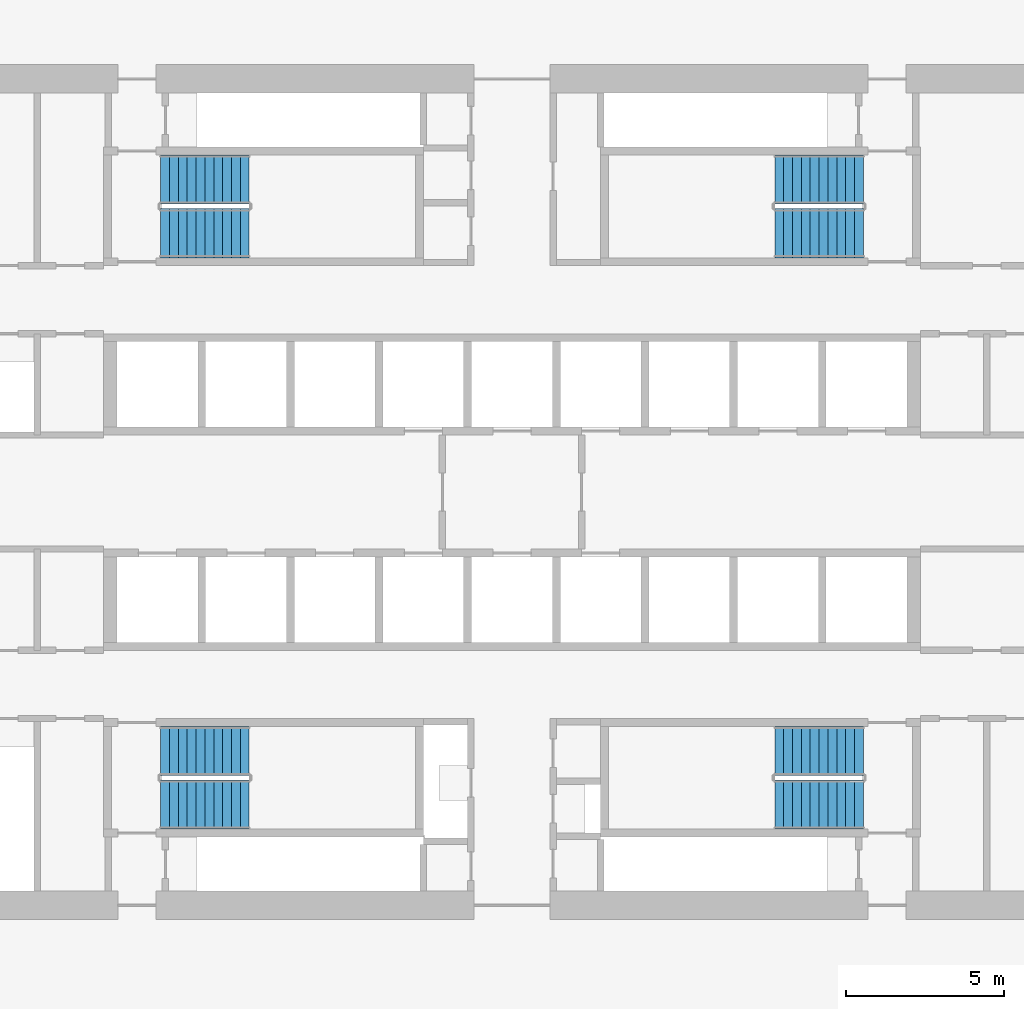
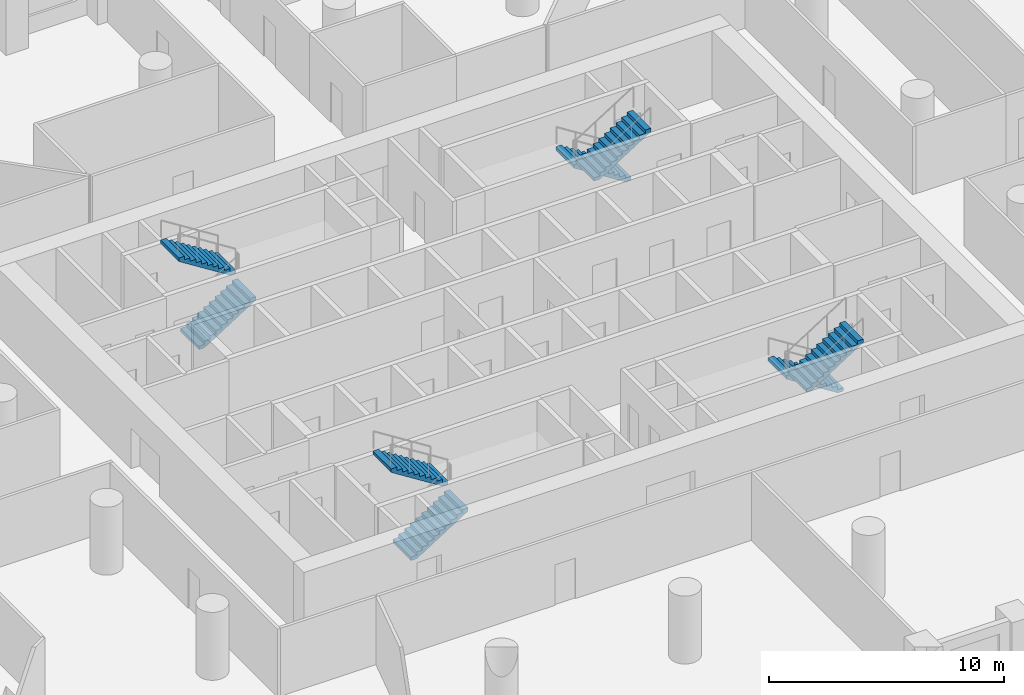
# One storey, part 9 of 10: 8 stair flights, 4 elements without a shape of their own.
"""IFC4 building model written with IfcOpenShell, lengths in metres."""

from ifc_helpers import new_model, si_unit, direction, frame, origin, place, context, subcontext, project, spatial, polyline, outline, extrude, material, type_object, element, aggregate, save


model = new_model("IFC4")

# Units and contexts
model_context = context("Model", 3, precision=1e-05, world=origin(), true_north=direction((0.0, 1.0)))
body_context = subcontext(model_context, "Body", "Model", "MODEL_VIEW")
ifc_project = project(units=[si_unit("LENGTHUNIT", "METRE"), si_unit("AREAUNIT", "SQUARE_METRE"), si_unit("VOLUMEUNIT", "CUBIC_METRE"), si_unit("PLANEANGLEUNIT", "RADIAN"), si_unit("MASSUNIT", "GRAM", prefix="KILO")], contexts=[model_context])

# Site, building, storey
site_placement = place(None, origin())
site = spatial("IfcSite", under=ifc_project, at=site_placement, CompositionType="ELEMENT")
building_placement = place(site_placement, origin())
building = spatial("IfcBuilding", under=site, at=building_placement, Name="Dhurran Vertical Campus", CompositionType="ELEMENT")
storey_placement = place(building_placement, frame((0.0, 0.0, 61.199951171875)))
storey = spatial("IfcBuildingStorey", under=building, at=storey_placement, Name="L14", CompositionType="ELEMENT", Elevation=61.199951171875)

# Stair, stair flights
ifc_material_1 = material(Name="Concrete C40/50", Category="concrete")
stair_type = type_object("IfcStairType", Name="co-ST-CORE", PredefinedType="HALF_TURN_STAIR", material=ifc_material_1)
stair_1_placement = place(storey_placement, origin())
stair_1 = element("IfcStair", 1, at=stair_1_placement, inside=storey, type_object=stair_type, Name="L14 Protected exit stair ST1", PredefinedType="HALF_TURN_STAIR")
ifc_material_2 = material(Name="Concrete C40/50", Category="concrete")
stair_flight_type = type_object("IfcStairFlightType", Name="co-SFL-RC", PredefinedType="STRAIGHT", material=ifc_material_2)
stair_flight_1_placement = place(storey_placement, frame((-11.10009765625, 8.175048828125, 0.0), z_axis=(0.0, 0.0, 1.0), x_axis=(1.0, 0.0, 0.0)))
stair_flight_1 = element("IfcStairFlight", 2, at=stair_flight_1_placement, type_object=stair_flight_type, Name="ST1 flight 1", NumberOfRisers=11, NumberOfTreads=10, PredefinedType="STRAIGHT", RiserHeight=0.177272727, TreadLength=0.28, context=body_context, shape_type="SweptSolid", body=[
    extrude(outline(polyline([(0.0, 0.0), (0.0, 0.17724609375), (0.280029296875, 0.17724609375), (0.280029296875, 0.3544921875), (0.56005859375, 0.3544921875), (0.56005859375, 0.53173828125), (0.840087890625, 0.53173828125), (0.840087890625, 0.708984375), (1.1201171875, 0.708984375), (1.1201171875, 0.886474609375), (1.39990234375, 0.886474609375), (1.39990234375, 1.063720703125), (1.679931640625, 1.063720703125), (1.679931640625, 1.240966796875), (1.9599609375, 1.240966796875), (1.9599609375, 1.418212890625), (2.239990234375, 1.418212890625), (2.239990234375, 1.595458984375), (2.52001953125, 1.595458984375), (2.52001953125, 1.772705078125), (2.800048828125, 1.772705078125), (2.800048828125, 1.949951171875), (2.800048828125, 1.59521484375), (0.2802734375, 0.0), (0.0, 0.0)])), frame((0.0, 0.77490234375, 0.0), z_axis=(0.0, -1.0, 0.0), x_axis=(1.0, 0.0, 0.0)), (0.0, 0.0, 1.0), 1.550048828125),
])
stair_flight_2_placement = place(storey_placement, frame((-8.300048828125, 9.875, 1.949951171875), z_axis=(0.0, 0.0, 1.0), x_axis=(-1.0, 0.0, 0.0)))
stair_flight_2 = element("IfcStairFlight", 3, at=stair_flight_2_placement, type_object=stair_flight_type, Name="ST1 flight 2", NumberOfRisers=11, NumberOfTreads=10, PredefinedType="STRAIGHT", RiserHeight=0.177272727, TreadLength=0.28, context=body_context, shape_type="SweptSolid", body=[
    extrude(outline(polyline([(0.0, 0.0), (0.0, 0.17724609375), (0.280029296875, 0.17724609375), (0.280029296875, 0.3544921875), (0.56005859375, 0.3544921875), (0.56005859375, 0.53173828125), (0.840087890625, 0.53173828125), (0.840087890625, 0.708984375), (1.1201171875, 0.708984375), (1.1201171875, 0.886474609375), (1.39990234375, 0.886474609375), (1.39990234375, 1.063720703125), (1.679931640625, 1.063720703125), (1.679931640625, 1.240966796875), (1.9599609375, 1.240966796875), (1.9599609375, 1.418212890625), (2.239990234375, 1.418212890625), (2.239990234375, 1.595458984375), (2.52001953125, 1.595458984375), (2.52001953125, 1.772705078125), (2.800048828125, 1.772705078125), (2.800048828125, 1.949951171875), (2.800048828125, 1.59521484375), (0.2802734375, 0.0), (0.0, 0.0)])), frame((0.0, 0.77490234375, 0.0), z_axis=(0.0, -1.0, 0.0), x_axis=(1.0, 0.0, 0.0)), (0.0, 0.0, 1.0), 1.550048828125),
])
aggregate(stair_1, [stair_flight_1, stair_flight_2])

stair_2_placement = place(storey_placement, origin())
stair_2 = element("IfcStair", 4, at=stair_2_placement, inside=storey, type_object=stair_type, Name="L14 Protected exit stair ST2", PredefinedType="HALF_TURN_STAIR")
stair_flight_3_placement = place(storey_placement, frame((11.10009765625, 9.875, 0.0), z_axis=(0.0, 0.0, 1.0), x_axis=(-1.0, 0.0, 0.0)))
stair_flight_3 = element("IfcStairFlight", 5, at=stair_flight_3_placement, type_object=stair_flight_type, Name="ST2 flight 1", NumberOfRisers=11, NumberOfTreads=10, PredefinedType="STRAIGHT", RiserHeight=0.177272727, TreadLength=0.28, context=body_context, shape_type="SweptSolid", body=[
    extrude(outline(polyline([(0.0, 0.0), (0.0, 0.17724609375), (0.280029296875, 0.17724609375), (0.280029296875, 0.3544921875), (0.56005859375, 0.3544921875), (0.56005859375, 0.53173828125), (0.840087890625, 0.53173828125), (0.840087890625, 0.708984375), (1.1201171875, 0.708984375), (1.1201171875, 0.886474609375), (1.39990234375, 0.886474609375), (1.39990234375, 1.063720703125), (1.679931640625, 1.063720703125), (1.679931640625, 1.240966796875), (1.9599609375, 1.240966796875), (1.9599609375, 1.418212890625), (2.239990234375, 1.418212890625), (2.239990234375, 1.595458984375), (2.52001953125, 1.595458984375), (2.52001953125, 1.772705078125), (2.800048828125, 1.772705078125), (2.800048828125, 1.949951171875), (2.800048828125, 1.59521484375), (0.2802734375, 0.0), (0.0, 0.0)])), frame((0.0, 0.77490234375, 0.0), z_axis=(0.0, -1.0, 0.0), x_axis=(1.0, 0.0, 0.0)), (0.0, 0.0, 1.0), 1.550048828125),
])
stair_flight_4_placement = place(storey_placement, frame((8.300048828125, 8.175048828125, 1.949951171875), z_axis=(0.0, 0.0, 1.0), x_axis=(1.0, 0.0, 0.0)))
stair_flight_4 = element("IfcStairFlight", 6, at=stair_flight_4_placement, type_object=stair_flight_type, Name="ST2 flight 2", NumberOfRisers=11, NumberOfTreads=10, PredefinedType="STRAIGHT", RiserHeight=0.177272727, TreadLength=0.28, context=body_context, shape_type="SweptSolid", body=[
    extrude(outline(polyline([(0.0, 0.0), (0.0, 0.17724609375), (0.280029296875, 0.17724609375), (0.280029296875, 0.3544921875), (0.56005859375, 0.3544921875), (0.56005859375, 0.53173828125), (0.840087890625, 0.53173828125), (0.840087890625, 0.708984375), (1.1201171875, 0.708984375), (1.1201171875, 0.886474609375), (1.39990234375, 0.886474609375), (1.39990234375, 1.063720703125), (1.679931640625, 1.063720703125), (1.679931640625, 1.240966796875), (1.9599609375, 1.240966796875), (1.9599609375, 1.418212890625), (2.239990234375, 1.418212890625), (2.239990234375, 1.595458984375), (2.52001953125, 1.595458984375), (2.52001953125, 1.772705078125), (2.800048828125, 1.772705078125), (2.800048828125, 1.949951171875), (2.800048828125, 1.59521484375), (0.2802734375, 0.0), (0.0, 0.0)])), frame((0.0, 0.77490234375, 0.0), z_axis=(0.0, -1.0, 0.0), x_axis=(1.0, 0.0, 0.0)), (0.0, 0.0, 1.0), 1.550048828125),
])
aggregate(stair_2, [stair_flight_3, stair_flight_4])

stair_3_placement = place(storey_placement, origin())
stair_3 = element("IfcStair", 7, at=stair_3_placement, inside=storey, type_object=stair_type, Name="L14 Protected exit stair ST3", PredefinedType="HALF_TURN_STAIR")
stair_flight_5_placement = place(storey_placement, frame((-11.10009765625, -9.875, 0.0), z_axis=(0.0, 0.0, 1.0), x_axis=(1.0, 0.0, 0.0)))
stair_flight_5 = element("IfcStairFlight", 8, at=stair_flight_5_placement, type_object=stair_flight_type, Name="ST3 flight 1", NumberOfRisers=11, NumberOfTreads=10, PredefinedType="STRAIGHT", RiserHeight=0.177272727, TreadLength=0.28, context=body_context, shape_type="SweptSolid", body=[
    extrude(outline(polyline([(0.0, 0.0), (0.0, 0.17724609375), (0.280029296875, 0.17724609375), (0.280029296875, 0.3544921875), (0.56005859375, 0.3544921875), (0.56005859375, 0.53173828125), (0.840087890625, 0.53173828125), (0.840087890625, 0.708984375), (1.1201171875, 0.708984375), (1.1201171875, 0.886474609375), (1.39990234375, 0.886474609375), (1.39990234375, 1.063720703125), (1.679931640625, 1.063720703125), (1.679931640625, 1.240966796875), (1.9599609375, 1.240966796875), (1.9599609375, 1.418212890625), (2.239990234375, 1.418212890625), (2.239990234375, 1.595458984375), (2.52001953125, 1.595458984375), (2.52001953125, 1.772705078125), (2.800048828125, 1.772705078125), (2.800048828125, 1.949951171875), (2.800048828125, 1.59521484375), (0.2802734375, 0.0), (0.0, 0.0)])), frame((0.0, 0.77490234375, 0.0), z_axis=(0.0, -1.0, 0.0), x_axis=(1.0, 0.0, 0.0)), (0.0, 0.0, 1.0), 1.550048828125),
])
stair_flight_6_placement = place(storey_placement, frame((-8.300048828125, -8.175048828125, 1.949951171875), z_axis=(0.0, 0.0, 1.0), x_axis=(-1.0, 0.0, 0.0)))
stair_flight_6 = element("IfcStairFlight", 9, at=stair_flight_6_placement, type_object=stair_flight_type, Name="ST3 flight 2", NumberOfRisers=11, NumberOfTreads=10, PredefinedType="STRAIGHT", RiserHeight=0.177272727, TreadLength=0.28, context=body_context, shape_type="SweptSolid", body=[
    extrude(outline(polyline([(0.0, 0.0), (0.0, 0.17724609375), (0.280029296875, 0.17724609375), (0.280029296875, 0.3544921875), (0.56005859375, 0.3544921875), (0.56005859375, 0.53173828125), (0.840087890625, 0.53173828125), (0.840087890625, 0.708984375), (1.1201171875, 0.708984375), (1.1201171875, 0.886474609375), (1.39990234375, 0.886474609375), (1.39990234375, 1.063720703125), (1.679931640625, 1.063720703125), (1.679931640625, 1.240966796875), (1.9599609375, 1.240966796875), (1.9599609375, 1.418212890625), (2.239990234375, 1.418212890625), (2.239990234375, 1.595458984375), (2.52001953125, 1.595458984375), (2.52001953125, 1.772705078125), (2.800048828125, 1.772705078125), (2.800048828125, 1.949951171875), (2.800048828125, 1.59521484375), (0.2802734375, 0.0), (0.0, 0.0)])), frame((0.0, 0.77490234375, 0.0), z_axis=(0.0, -1.0, 0.0), x_axis=(1.0, 0.0, 0.0)), (0.0, 0.0, 1.0), 1.550048828125),
])
aggregate(stair_3, [stair_flight_5, stair_flight_6])

stair_4_placement = place(storey_placement, origin())
stair_4 = element("IfcStair", 10, at=stair_4_placement, inside=storey, type_object=stair_type, Name="L14 Protected exit stair ST4", PredefinedType="HALF_TURN_STAIR")
stair_flight_7_placement = place(storey_placement, frame((11.10009765625, -8.175048828125, 0.0), z_axis=(0.0, 0.0, 1.0), x_axis=(-1.0, 0.0, 0.0)))
stair_flight_7 = element("IfcStairFlight", 11, at=stair_flight_7_placement, type_object=stair_flight_type, Name="ST4 flight 1", NumberOfRisers=11, NumberOfTreads=10, PredefinedType="STRAIGHT", RiserHeight=0.177272727, TreadLength=0.28, context=body_context, shape_type="SweptSolid", body=[
    extrude(outline(polyline([(0.0, 0.0), (0.0, 0.17724609375), (0.280029296875, 0.17724609375), (0.280029296875, 0.3544921875), (0.56005859375, 0.3544921875), (0.56005859375, 0.53173828125), (0.840087890625, 0.53173828125), (0.840087890625, 0.708984375), (1.1201171875, 0.708984375), (1.1201171875, 0.886474609375), (1.39990234375, 0.886474609375), (1.39990234375, 1.063720703125), (1.679931640625, 1.063720703125), (1.679931640625, 1.240966796875), (1.9599609375, 1.240966796875), (1.9599609375, 1.418212890625), (2.239990234375, 1.418212890625), (2.239990234375, 1.595458984375), (2.52001953125, 1.595458984375), (2.52001953125, 1.772705078125), (2.800048828125, 1.772705078125), (2.800048828125, 1.949951171875), (2.800048828125, 1.59521484375), (0.2802734375, 0.0), (0.0, 0.0)])), frame((0.0, 0.77490234375, 0.0), z_axis=(0.0, -1.0, 0.0), x_axis=(1.0, 0.0, 0.0)), (0.0, 0.0, 1.0), 1.550048828125),
])
stair_flight_8_placement = place(storey_placement, frame((8.300048828125, -9.875, 1.949951171875), z_axis=(0.0, 0.0, 1.0), x_axis=(1.0, 0.0, 0.0)))
stair_flight_8 = element("IfcStairFlight", 12, at=stair_flight_8_placement, type_object=stair_flight_type, Name="ST4 flight 2", NumberOfRisers=11, NumberOfTreads=10, PredefinedType="STRAIGHT", RiserHeight=0.177272727, TreadLength=0.28, context=body_context, shape_type="SweptSolid", body=[
    extrude(outline(polyline([(0.0, 0.0), (0.0, 0.17724609375), (0.280029296875, 0.17724609375), (0.280029296875, 0.3544921875), (0.56005859375, 0.3544921875), (0.56005859375, 0.53173828125), (0.840087890625, 0.53173828125), (0.840087890625, 0.708984375), (1.1201171875, 0.708984375), (1.1201171875, 0.886474609375), (1.39990234375, 0.886474609375), (1.39990234375, 1.063720703125), (1.679931640625, 1.063720703125), (1.679931640625, 1.240966796875), (1.9599609375, 1.240966796875), (1.9599609375, 1.418212890625), (2.239990234375, 1.418212890625), (2.239990234375, 1.595458984375), (2.52001953125, 1.595458984375), (2.52001953125, 1.772705078125), (2.800048828125, 1.772705078125), (2.800048828125, 1.949951171875), (2.800048828125, 1.59521484375), (0.2802734375, 0.0), (0.0, 0.0)])), frame((0.0, 0.77490234375, 0.0), z_axis=(0.0, -1.0, 0.0), x_axis=(1.0, 0.0, 0.0)), (0.0, 0.0, 1.0), 1.550048828125),
])
aggregate(stair_4, [stair_flight_7, stair_flight_8])

save(model, "model.ifc")
